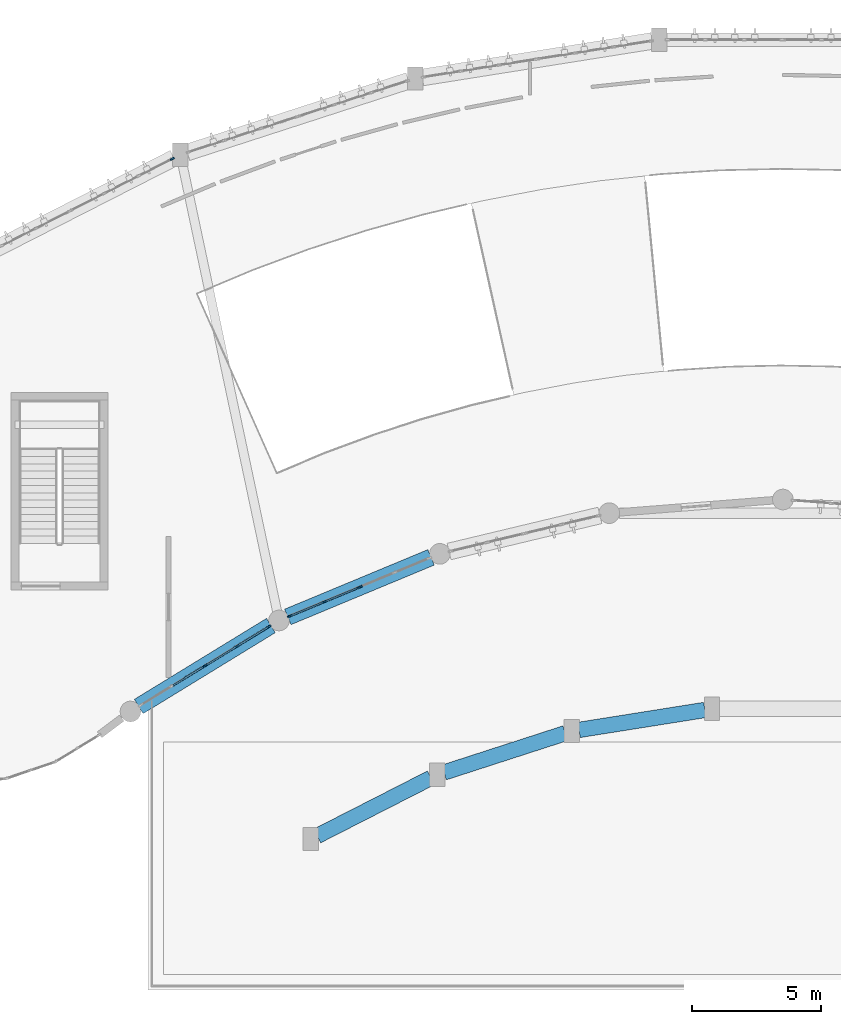
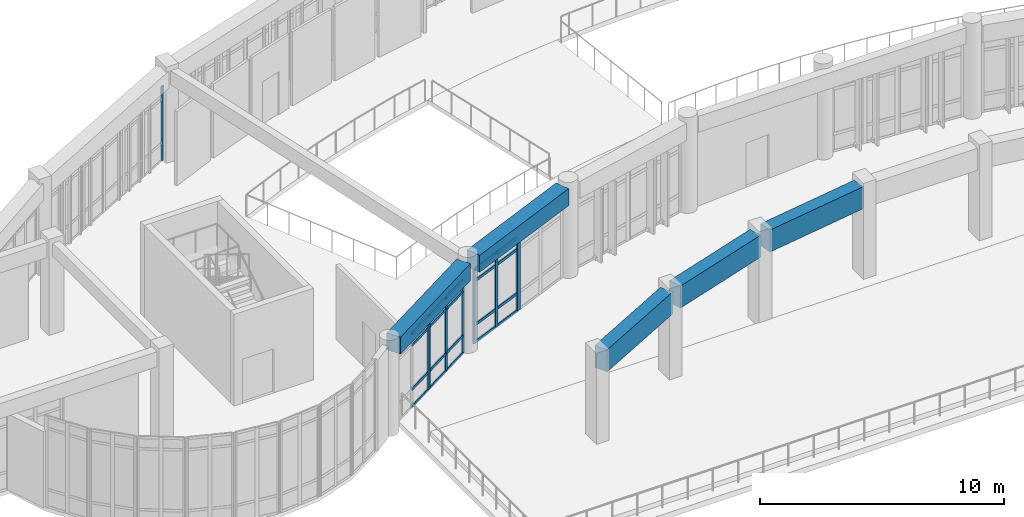
# One storey, part 12 of 65: 29 members, 5 beams, 5 elements without a shape of their own.
"""IFC4 building model written with IfcOpenShell, lengths in metres."""

from ifc_helpers import new_model, si_unit, direction, frame, origin, origin_2d, place, context, subcontext, project, spatial, rectangle, extrude, material, layer, layer_set, material_profile, profile_set, type_object, element, aggregate, save


model = new_model("IFC4")

# Units and contexts
model_context = context("Model", 3, precision=1e-05, world=origin(), true_north=direction((0.0, 1.0)))
body_context = subcontext(model_context, "Body", "Model", "MODEL_VIEW")
ifc_project = project(units=[si_unit("LENGTHUNIT", "METRE"), si_unit("AREAUNIT", "SQUARE_METRE"), si_unit("VOLUMEUNIT", "CUBIC_METRE"), si_unit("PLANEANGLEUNIT", "RADIAN"), si_unit("MASSUNIT", "GRAM", prefix="KILO")], contexts=[model_context])

# Site, building, storey
site_placement = place(None, origin())
site = spatial("IfcSite", under=ifc_project, at=site_placement, CompositionType="ELEMENT")
building_placement = place(site_placement, origin())
building = spatial("IfcBuilding", under=site, at=building_placement, Name="Miralva Faculty of Natural Sciences", CompositionType="ELEMENT")
storey_placement = place(building_placement, frame((0.0, 0.0, 10.199951171875)))
storey = spatial("IfcBuildingStorey", under=building, at=storey_placement, Name="L02", CompositionType="ELEMENT", Elevation=10.199951171875)

# Beams
ifc_material_1 = material(Name="Concrete C40/50", Category="concrete")
ifc_material_profile_1 = material_profile(ifc_material_1, rectangle(XDim=0.64990234375, YDim=0.85009765625, at=origin_2d()), Name="RC 650x850")
ifc_profile_set_1 = profile_set([ifc_material_profile_1], Name="Concrete C40/50")
beam_type_1 = type_object("IfcBeamType", Name="BM-SP03", PredefinedType="SPANDREL", material=ifc_profile_set_1)
beam_1_placement = place(storey_placement, frame((76.3701171875, 19.7587890625, 4.135009765625), z_axis=(-0.923386658192, -0.383871175621, 0.0), x_axis=(0.383871175621, -0.923386658192, 0.0)))
element("IfcBeam", 1, at=beam_1_placement, inside=storey, type_object=beam_type_1, Name="Curved chord girder ARCIN L02-7", PredefinedType="SPANDREL", context=body_context, shape_type="SweptSolid", body=[
    extrude(rectangle(XDim=0.64990234375, YDim=0.85009765625, at=origin_2d()), origin(), (0.0, 0.0, 1.0), 6.0107421875),
])
beam_2_placement = place(storey_placement, frame((70.166015625, 17.117919921875, 4.135009765625), z_axis=(-0.85286755932, -0.52212730848, 0.0), x_axis=(0.52212730848, -0.85286755932, 0.0)))
element("IfcBeam", 2, at=beam_2_placement, inside=storey, type_object=beam_type_1, Name="Curved chord girder ARCIN L02-8", PredefinedType="SPANDREL", context=body_context, shape_type="SweptSolid", body=[
    extrude(rectangle(XDim=0.64990234375, YDim=0.85009765625, at=origin_2d()), origin(), (0.0, 0.0, 1.0), 6.005615234375),
])
ifc_material_profile_2 = material_profile(ifc_material_1, rectangle(XDim=0.60009765625, YDim=1.10009765625, at=origin_2d()), Name="RC 600x1100")
ifc_profile_set_2 = profile_set([ifc_material_profile_2], Name="Concrete C40/50")
beam_type_2 = type_object("IfcBeamType", Name="BM-TG01", PredefinedType="BEAM", material=ifc_profile_set_2)
beam_3_placement = place(storey_placement, frame((86.977294921875, 13.8466796875, 4.0), z_axis=(-0.987645980672, -0.156701681112, 0.0), x_axis=(0.156701681112, -0.987645980672, 0.0)))
element("IfcBeam", 3, at=beam_3_placement, inside=storey, type_object=beam_type_2, Name="Curved chord girder SHIN L02-5", PredefinedType="BEAM", context=body_context, shape_type="SweptSolid", body=[
    extrude(rectangle(XDim=0.60009765625, YDim=1.10009765625, at=origin_2d()), origin(), (0.0, 0.0, 1.0), 4.935791015625),
])
beam_4_placement = place(storey_placement, frame((81.5673828125, 12.945068359375, 4.0), z_axis=(-0.951378867788, -0.308023132129, 0.0), x_axis=(0.308023132129, -0.951378867788, 0.0)))
element("IfcBeam", 4, at=beam_4_placement, inside=storey, type_object=beam_type_2, Name="Curved chord girder SHIN L02-6", PredefinedType="BEAM", context=body_context, shape_type="SweptSolid", body=[
    extrude(rectangle(XDim=0.60009765625, YDim=1.10009765625, at=origin_2d()), origin(), (0.0, 0.0, 1.0), 4.934814453125),
])
beam_5_placement = place(storey_placement, frame((76.364013671875, 11.214599609375, 4.0), z_axis=(-0.890746789072, -0.454499898523, 0.0), x_axis=(0.454499898523, -0.890746789072, 0.0)))
element("IfcBeam", 5, at=beam_5_placement, inside=storey, type_object=beam_type_2, Name="Curved chord girder SHIN L02-7", PredefinedType="BEAM", context=body_context, shape_type="SweptSolid", body=[
    extrude(rectangle(XDim=0.60009765625, YDim=1.10009765625, at=origin_2d()), origin(), (0.0, 0.0, 1.0), 4.948974609375),
])

# Curtain wall, member
ifc_material_2 = material(Name="Laminated solar-control glass", Category="glass")
ifc_layer = layer(ifc_material_2, 0.179931640625, Name="CW-ARC-L01")
ifc_layer_set = layer_set([ifc_layer], Name="Laminated solar-control glass")
curtain_wall_type = type_object("IfcCurtainWallType", Name="CW-ARC-L01", PredefinedType="USERDEFINED", material=ifc_layer_set)
curtain_wall_1_placement = place(storey_placement, origin())
curtain_wall_1 = element("IfcCurtainWall", 6, at=curtain_wall_1_placement, inside=storey, type_object=curtain_wall_type, Name="Curtain wall CW-02 L02-63", ObjectType="UNITISED CURTAIN WALL", PredefinedType="USERDEFINED")
ifc_material_3 = material(Name="Anodised aluminium", Category="aluminium")
ifc_material_profile_3 = material_profile(ifc_material_3, rectangle(XDim=0.06494140625, YDim=0.179931640625, at=origin_2d()), Name="MULLION 65x180")
ifc_profile_set_3 = profile_set([ifc_material_profile_3], Name="Anodised aluminium")
member_type_1 = type_object("IfcMemberType", Name="CW-M01", PredefinedType="MULLION", material=ifc_profile_set_3)
member_1_placement = place(storey_placement, frame((67.573974609375, 15.533447265625, 0.0), z_axis=(0.0, 0.0, 1.0), x_axis=(-0.522497642249, 0.852640729642, 0.0)))
member_1 = element("IfcMember", 7, at=member_1_placement, type_object=member_type_1, Name="CW-02 mullion 3", PredefinedType="MULLION", context=body_context, shape_type="SweptSolid", body=[
    extrude(rectangle(XDim=0.06494140625, YDim=0.179931640625, at=origin_2d()), origin(), (0.0, 0.0, 1.0), 3.705078125),
])

# Curtain wall, members
curtain_wall_2_placement = place(storey_placement, origin())
curtain_wall_2 = element("IfcCurtainWall", 8, at=curtain_wall_2_placement, inside=storey, type_object=curtain_wall_type, Name="Curtain wall CW-02 L02-64", ObjectType="UNITISED CURTAIN WALL", PredefinedType="USERDEFINED")
member_2_placement = place(storey_placement, frame((67.625244140625, 15.56494140625, 0.0), z_axis=(0.0, 0.0, 1.0), x_axis=(-0.522473936561, 0.852655256018, 0.0)))
member_2 = element("IfcMember", 9, at=member_2_placement, type_object=member_type_1, Name="CW-02 mullion 1", PredefinedType="MULLION", context=body_context, shape_type="SweptSolid", body=[
    extrude(rectangle(XDim=0.06494140625, YDim=0.179931640625, at=origin_2d()), origin(), (0.0, 0.0, 1.0), 3.705078125),
])
member_3_placement = place(storey_placement, frame((68.856689453125, 16.319580078125, 0.0), z_axis=(0.0, 0.0, 1.0), x_axis=(-0.522473936561, 0.852655256018, 0.0)))
member_3 = element("IfcMember", 10, at=member_3_placement, type_object=member_type_1, Name="CW-02 mullion 2", PredefinedType="MULLION", context=body_context, shape_type="SweptSolid", body=[
    extrude(rectangle(XDim=0.06494140625, YDim=0.179931640625, at=origin_2d()), origin(), (0.0, 0.0, 1.0), 3.705078125),
])
member_4_placement = place(storey_placement, frame((70.08837890625, 17.07421875, 0.0), z_axis=(0.0, 0.0, 1.0), x_axis=(-0.522473936561, 0.852655256018, 0.0)))
member_4 = element("IfcMember", 11, at=member_4_placement, type_object=member_type_1, Name="CW-02 mullion 3", PredefinedType="MULLION", context=body_context, shape_type="SweptSolid", body=[
    extrude(rectangle(XDim=0.06494140625, YDim=0.179931640625, at=origin_2d()), origin(), (0.0, 0.0, 1.0), 3.705078125),
])

curtain_wall_3_placement = place(storey_placement, origin())
curtain_wall_3 = element("IfcCurtainWall", 12, at=curtain_wall_3_placement, inside=storey, type_object=curtain_wall_type, Name="Curtain wall CW-02 L02-65", ObjectType="UNITISED CURTAIN WALL", PredefinedType="USERDEFINED")
member_5_placement = place(storey_placement, frame((70.891845703125, 17.484619140625, 0.0), z_axis=(0.0, 0.0, 1.0), x_axis=(-0.382697056713, 0.923873889004, 0.0)))
member_5 = element("IfcMember", 13, at=member_5_placement, type_object=member_type_1, Name="CW-02 mullion 1", PredefinedType="MULLION", context=body_context, shape_type="SweptSolid", body=[
    extrude(rectangle(XDim=0.06494140625, YDim=0.179931640625, at=origin_2d()), origin(), (0.0, 0.0, 1.0), 3.705078125),
])
member_6_placement = place(storey_placement, frame((72.228515625, 18.038330078125, 0.0), z_axis=(0.0, 0.0, 1.0), x_axis=(-0.382697056713, 0.923873889004, 0.0)))
member_6 = element("IfcMember", 14, at=member_6_placement, type_object=member_type_1, Name="CW-02 mullion 2", PredefinedType="MULLION", context=body_context, shape_type="SweptSolid", body=[
    extrude(rectangle(XDim=0.06494140625, YDim=0.179931640625, at=origin_2d()), origin(), (0.0, 0.0, 1.0), 3.705078125),
])
member_7_placement = place(storey_placement, frame((73.565185546875, 18.592041015625, 0.0), z_axis=(0.0, 0.0, 1.0), x_axis=(-0.382697056713, 0.923873889004, 0.0)))
member_7 = element("IfcMember", 15, at=member_7_placement, type_object=member_type_1, Name="CW-02 mullion 3", PredefinedType="MULLION", context=body_context, shape_type="SweptSolid", body=[
    extrude(rectangle(XDim=0.06494140625, YDim=0.179931640625, at=origin_2d()), origin(), (0.0, 0.0, 1.0), 3.705078125),
])

# Curtain wall, member
curtain_wall_4_placement = place(storey_placement, origin())
curtain_wall_4 = element("IfcCurtainWall", 16, at=curtain_wall_4_placement, inside=storey, type_object=curtain_wall_type, Name="Curtain wall CW-02 L02-66", ObjectType="UNITISED CURTAIN WALL", PredefinedType="USERDEFINED")
member_8_placement = place(storey_placement, frame((73.62060546875, 18.614990234375, 0.0), z_axis=(0.0, 0.0, 1.0), x_axis=(-0.382654754557, 0.923891410727, 0.0)))
member_8 = element("IfcMember", 17, at=member_8_placement, type_object=member_type_1, Name="CW-02 mullion 1", PredefinedType="MULLION", context=body_context, shape_type="SweptSolid", body=[
    extrude(rectangle(XDim=0.06494140625, YDim=0.179931640625, at=origin_2d()), origin(), (0.0, 0.0, 1.0), 3.705078125),
])
aggregate(curtain_wall_4, [member_8])

curtain_wall_5_placement = place(storey_placement, origin())
curtain_wall_5 = element("IfcCurtainWall", 18, at=curtain_wall_5_placement, inside=storey, type_object=curtain_wall_type, Name="Curtain wall CW-02 L02-80", ObjectType="UNITISED CURTAIN WALL", PredefinedType="USERDEFINED")
ifc_material_profile_4 = material_profile(ifc_material_3, rectangle(XDim=0.06494140625, YDim=0.159912109375, at=origin_2d()), Name="MULLION 65x160")
ifc_profile_set_4 = profile_set([ifc_material_profile_4], Name="Anodised aluminium")
member_type_2 = type_object("IfcMemberType", Name="CW-M02", PredefinedType="MULLION", material=ifc_profile_set_4)
member_9_placement = place(storey_placement, frame((66.3466796875, 35.19873046875, 0.0), z_axis=(0.0, 0.0, 1.0), x_axis=(-0.453974643591, 0.891014603122, 0.0)))
member_9 = element("IfcMember", 19, at=member_9_placement, type_object=member_type_2, Name="CW-02 mullion 4", PredefinedType="MULLION", context=body_context, shape_type="SweptSolid", body=[
    extrude(rectangle(XDim=0.06494140625, YDim=0.159912109375, at=origin_2d()), origin(), (0.0, 0.0, 1.0), 3.705078125),
])
aggregate(curtain_wall_5, [member_9])

# Member
ifc_material_profile_5 = material_profile(ifc_material_3, rectangle(XDim=0.06494140625, YDim=0.139892578125, at=origin_2d()), Name="TRANSOM 65x140")
ifc_profile_set_5 = profile_set([ifc_material_profile_5], Name="Anodised aluminium")
member_type_3 = type_object("IfcMemberType", Name="CW-T01", PredefinedType="USERDEFINED", material=ifc_profile_set_5)
member_10_placement = place(storey_placement, frame((66.372314453125, 14.797119140625, 0.032470703125), z_axis=(0.852636925059, 0.522503850728, 0.0), x_axis=(-0.522503850728, 0.852636925059, 0.0)))
member_10 = element("IfcMember", 20, at=member_10_placement, type_object=member_type_3, Name="CW-02 transom 2.1", ObjectType="TRANSOM", PredefinedType="USERDEFINED", context=body_context, shape_type="SweptSolid", body=[
    extrude(rectangle(XDim=0.06494140625, YDim=0.139892578125, at=origin_2d()), origin(), (0.0, 0.0, 1.0), 1.376953125),
])

member_11_placement = place(storey_placement, frame((66.372314453125, 14.797119140625, 0.900146484375), z_axis=(0.852636925059, 0.522503850728, 0.0), x_axis=(-0.522503850728, 0.852636925059, 0.0)))
member_11 = element("IfcMember", 21, at=member_11_placement, type_object=member_type_3, Name="CW-02 transom 2.2", ObjectType="TRANSOM", PredefinedType="USERDEFINED", context=body_context, shape_type="SweptSolid", body=[
    extrude(rectangle(XDim=0.06494140625, YDim=0.139892578125, at=origin_2d()), origin(), (0.0, 0.0, 1.0), 1.376953125),
])

member_12_placement = place(storey_placement, frame((66.372314453125, 14.797119140625, 3.10498046875), z_axis=(0.852636925059, 0.522503850728, 0.0), x_axis=(-0.522503850728, 0.852636925059, 0.0)))
member_12 = element("IfcMember", 22, at=member_12_placement, type_object=member_type_3, Name="CW-02 transom 2.3", ObjectType="TRANSOM", PredefinedType="USERDEFINED", context=body_context, shape_type="SweptSolid", body=[
    extrude(rectangle(XDim=0.06494140625, YDim=0.139892578125, at=origin_2d()), origin(), (0.0, 0.0, 1.0), 1.376953125),
])

member_13_placement = place(storey_placement, frame((66.372314453125, 14.797119140625, 3.672607421875), z_axis=(0.852636925059, 0.522503850728, 0.0), x_axis=(-0.522503850728, 0.852636925059, 0.0)))
member_13 = element("IfcMember", 23, at=member_13_placement, type_object=member_type_3, Name="CW-02 transom 2.4", ObjectType="TRANSOM", PredefinedType="USERDEFINED", context=body_context, shape_type="SweptSolid", body=[
    extrude(rectangle(XDim=0.06494140625, YDim=0.139892578125, at=origin_2d()), origin(), (0.0, 0.0, 1.0), 1.376953125),
])

aggregate(curtain_wall_1, [member_1, member_10, member_11, member_12, member_13])

member_14_placement = place(storey_placement, frame((67.65283203125, 15.581787109375, 0.032470703125), z_axis=(0.852677549803, 0.522437552308, 0.0), x_axis=(-0.522437552308, 0.852677549803, 0.0)))
member_14 = element("IfcMember", 24, at=member_14_placement, type_object=member_type_3, Name="CW-02 transom 1.1", ObjectType="TRANSOM", PredefinedType="USERDEFINED", context=body_context, shape_type="SweptSolid", body=[
    extrude(rectangle(XDim=0.06494140625, YDim=0.139892578125, at=origin_2d()), origin(), (0.0, 0.0, 1.0), 1.37939453125),
])

member_15_placement = place(storey_placement, frame((67.65283203125, 15.581787109375, 0.900146484375), z_axis=(0.852677549803, 0.522437552308, 0.0), x_axis=(-0.522437552308, 0.852677549803, 0.0)))
member_15 = element("IfcMember", 25, at=member_15_placement, type_object=member_type_3, Name="CW-02 transom 1.2", ObjectType="TRANSOM", PredefinedType="USERDEFINED", context=body_context, shape_type="SweptSolid", body=[
    extrude(rectangle(XDim=0.06494140625, YDim=0.139892578125, at=origin_2d()), origin(), (0.0, 0.0, 1.0), 1.37939453125),
])

member_16_placement = place(storey_placement, frame((67.65283203125, 15.581787109375, 3.10498046875), z_axis=(0.852677549803, 0.522437552308, 0.0), x_axis=(-0.522437552308, 0.852677549803, 0.0)))
member_16 = element("IfcMember", 26, at=member_16_placement, type_object=member_type_3, Name="CW-02 transom 1.3", ObjectType="TRANSOM", PredefinedType="USERDEFINED", context=body_context, shape_type="SweptSolid", body=[
    extrude(rectangle(XDim=0.06494140625, YDim=0.139892578125, at=origin_2d()), origin(), (0.0, 0.0, 1.0), 1.37939453125),
])

member_17_placement = place(storey_placement, frame((67.65283203125, 15.581787109375, 3.672607421875), z_axis=(0.852677549803, 0.522437552308, 0.0), x_axis=(-0.522437552308, 0.852677549803, 0.0)))
member_17 = element("IfcMember", 27, at=member_17_placement, type_object=member_type_3, Name="CW-02 transom 1.4", ObjectType="TRANSOM", PredefinedType="USERDEFINED", context=body_context, shape_type="SweptSolid", body=[
    extrude(rectangle(XDim=0.06494140625, YDim=0.139892578125, at=origin_2d()), origin(), (0.0, 0.0, 1.0), 1.37939453125),
])

member_18_placement = place(storey_placement, frame((68.884521484375, 16.33642578125, 0.032470703125), z_axis=(0.852677549803, 0.522437552308, 0.0), x_axis=(-0.522437552308, 0.852677549803, 0.0)))
member_18 = element("IfcMember", 28, at=member_18_placement, type_object=member_type_3, Name="CW-02 transom 2.1", ObjectType="TRANSOM", PredefinedType="USERDEFINED", context=body_context, shape_type="SweptSolid", body=[
    extrude(rectangle(XDim=0.06494140625, YDim=0.139892578125, at=origin_2d()), origin(), (0.0, 0.0, 1.0), 1.37939453125),
])

member_19_placement = place(storey_placement, frame((68.884521484375, 16.33642578125, 0.900146484375), z_axis=(0.852677549803, 0.522437552308, 0.0), x_axis=(-0.522437552308, 0.852677549803, 0.0)))
member_19 = element("IfcMember", 29, at=member_19_placement, type_object=member_type_3, Name="CW-02 transom 2.2", ObjectType="TRANSOM", PredefinedType="USERDEFINED", context=body_context, shape_type="SweptSolid", body=[
    extrude(rectangle(XDim=0.06494140625, YDim=0.139892578125, at=origin_2d()), origin(), (0.0, 0.0, 1.0), 1.37939453125),
])

member_20_placement = place(storey_placement, frame((68.884521484375, 16.33642578125, 3.10498046875), z_axis=(0.852677549803, 0.522437552308, 0.0), x_axis=(-0.522437552308, 0.852677549803, 0.0)))
member_20 = element("IfcMember", 30, at=member_20_placement, type_object=member_type_3, Name="CW-02 transom 2.3", ObjectType="TRANSOM", PredefinedType="USERDEFINED", context=body_context, shape_type="SweptSolid", body=[
    extrude(rectangle(XDim=0.06494140625, YDim=0.139892578125, at=origin_2d()), origin(), (0.0, 0.0, 1.0), 1.37939453125),
])

member_21_placement = place(storey_placement, frame((68.884521484375, 16.33642578125, 3.672607421875), z_axis=(0.852677549803, 0.522437552308, 0.0), x_axis=(-0.522437552308, 0.852677549803, 0.0)))
member_21 = element("IfcMember", 31, at=member_21_placement, type_object=member_type_3, Name="CW-02 transom 2.4", ObjectType="TRANSOM", PredefinedType="USERDEFINED", context=body_context, shape_type="SweptSolid", body=[
    extrude(rectangle(XDim=0.06494140625, YDim=0.139892578125, at=origin_2d()), origin(), (0.0, 0.0, 1.0), 1.37939453125),
])

aggregate(curtain_wall_2, [member_2, member_3, member_4, member_14, member_15, member_16, member_17, member_18, member_19, member_20, member_21])

member_22_placement = place(storey_placement, frame((70.921875, 17.4970703125, 0.032470703125), z_axis=(0.923874704855, 0.382695087151, 0.0), x_axis=(-0.382695087151, 0.923874704855, 0.0)))
member_22 = element("IfcMember", 32, at=member_22_placement, type_object=member_type_3, Name="CW-02 transom 1.1", ObjectType="TRANSOM", PredefinedType="USERDEFINED", context=body_context, shape_type="SweptSolid", body=[
    extrude(rectangle(XDim=0.06494140625, YDim=0.139892578125, at=origin_2d()), origin(), (0.0, 0.0, 1.0), 1.3818359375),
])

member_23_placement = place(storey_placement, frame((70.921875, 17.4970703125, 0.900146484375), z_axis=(0.923874704855, 0.382695087151, 0.0), x_axis=(-0.382695087151, 0.923874704855, 0.0)))
member_23 = element("IfcMember", 33, at=member_23_placement, type_object=member_type_3, Name="CW-02 transom 1.2", ObjectType="TRANSOM", PredefinedType="USERDEFINED", context=body_context, shape_type="SweptSolid", body=[
    extrude(rectangle(XDim=0.06494140625, YDim=0.139892578125, at=origin_2d()), origin(), (0.0, 0.0, 1.0), 1.3818359375),
])

member_24_placement = place(storey_placement, frame((70.921875, 17.4970703125, 3.10498046875), z_axis=(0.923874704855, 0.382695087151, 0.0), x_axis=(-0.382695087151, 0.923874704855, 0.0)))
member_24 = element("IfcMember", 34, at=member_24_placement, type_object=member_type_3, Name="CW-02 transom 1.3", ObjectType="TRANSOM", PredefinedType="USERDEFINED", context=body_context, shape_type="SweptSolid", body=[
    extrude(rectangle(XDim=0.06494140625, YDim=0.139892578125, at=origin_2d()), origin(), (0.0, 0.0, 1.0), 1.3818359375),
])

member_25_placement = place(storey_placement, frame((70.921875, 17.4970703125, 3.672607421875), z_axis=(0.923874704855, 0.382695087151, 0.0), x_axis=(-0.382695087151, 0.923874704855, 0.0)))
member_25 = element("IfcMember", 35, at=member_25_placement, type_object=member_type_3, Name="CW-02 transom 1.4", ObjectType="TRANSOM", PredefinedType="USERDEFINED", context=body_context, shape_type="SweptSolid", body=[
    extrude(rectangle(XDim=0.06494140625, YDim=0.139892578125, at=origin_2d()), origin(), (0.0, 0.0, 1.0), 1.3818359375),
])

member_26_placement = place(storey_placement, frame((72.258544921875, 18.05078125, 0.032470703125), z_axis=(0.923874704855, 0.382695087151, 0.0), x_axis=(-0.382695087151, 0.923874704855, 0.0)))
member_26 = element("IfcMember", 36, at=member_26_placement, type_object=member_type_3, Name="CW-02 transom 2.1", ObjectType="TRANSOM", PredefinedType="USERDEFINED", context=body_context, shape_type="SweptSolid", body=[
    extrude(rectangle(XDim=0.06494140625, YDim=0.139892578125, at=origin_2d()), origin(), (0.0, 0.0, 1.0), 1.3818359375),
])

member_27_placement = place(storey_placement, frame((72.258544921875, 18.05078125, 0.900146484375), z_axis=(0.923874704855, 0.382695087151, 0.0), x_axis=(-0.382695087151, 0.923874704855, 0.0)))
member_27 = element("IfcMember", 37, at=member_27_placement, type_object=member_type_3, Name="CW-02 transom 2.2", ObjectType="TRANSOM", PredefinedType="USERDEFINED", context=body_context, shape_type="SweptSolid", body=[
    extrude(rectangle(XDim=0.06494140625, YDim=0.139892578125, at=origin_2d()), origin(), (0.0, 0.0, 1.0), 1.3818359375),
])

member_28_placement = place(storey_placement, frame((72.258544921875, 18.05078125, 3.10498046875), z_axis=(0.923874704855, 0.382695087151, 0.0), x_axis=(-0.382695087151, 0.923874704855, 0.0)))
member_28 = element("IfcMember", 38, at=member_28_placement, type_object=member_type_3, Name="CW-02 transom 2.3", ObjectType="TRANSOM", PredefinedType="USERDEFINED", context=body_context, shape_type="SweptSolid", body=[
    extrude(rectangle(XDim=0.06494140625, YDim=0.139892578125, at=origin_2d()), origin(), (0.0, 0.0, 1.0), 1.3818359375),
])

member_29_placement = place(storey_placement, frame((72.258544921875, 18.05078125, 3.672607421875), z_axis=(0.923874704855, 0.382695087151, 0.0), x_axis=(-0.382695087151, 0.923874704855, 0.0)))
member_29 = element("IfcMember", 39, at=member_29_placement, type_object=member_type_3, Name="CW-02 transom 2.4", ObjectType="TRANSOM", PredefinedType="USERDEFINED", context=body_context, shape_type="SweptSolid", body=[
    extrude(rectangle(XDim=0.06494140625, YDim=0.139892578125, at=origin_2d()), origin(), (0.0, 0.0, 1.0), 1.3818359375),
])

aggregate(curtain_wall_3, [member_5, member_6, member_7, member_22, member_23, member_24, member_25, member_26, member_27, member_28, member_29])

save(model, "model.ifc")
